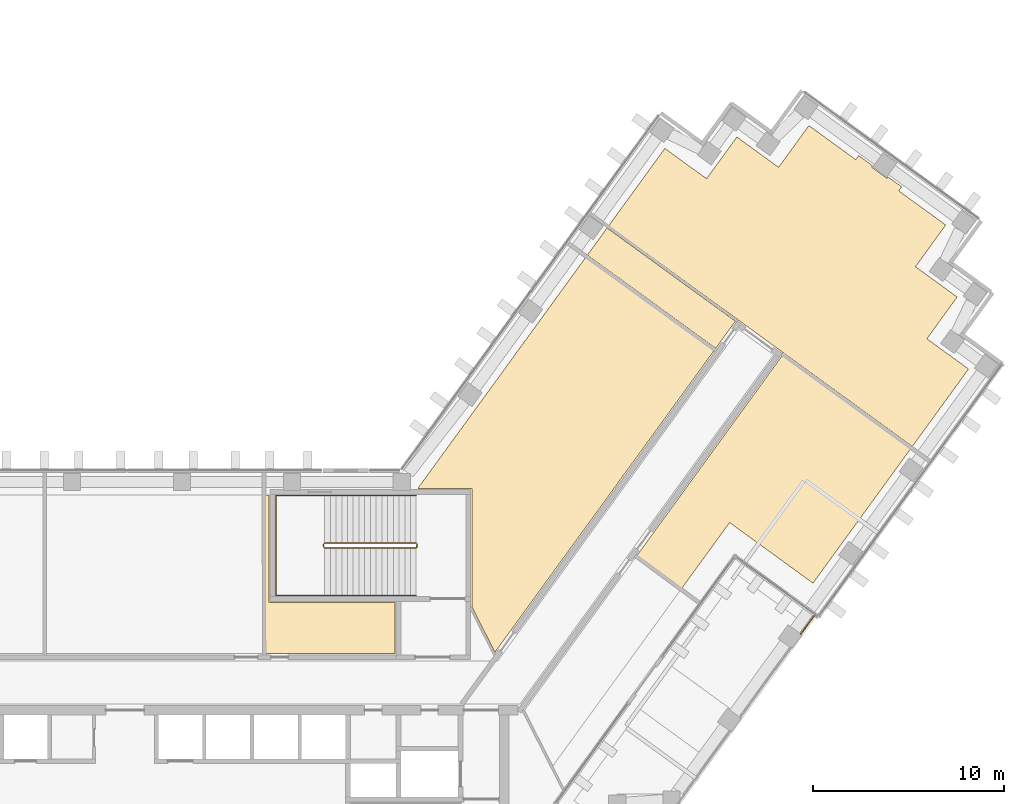
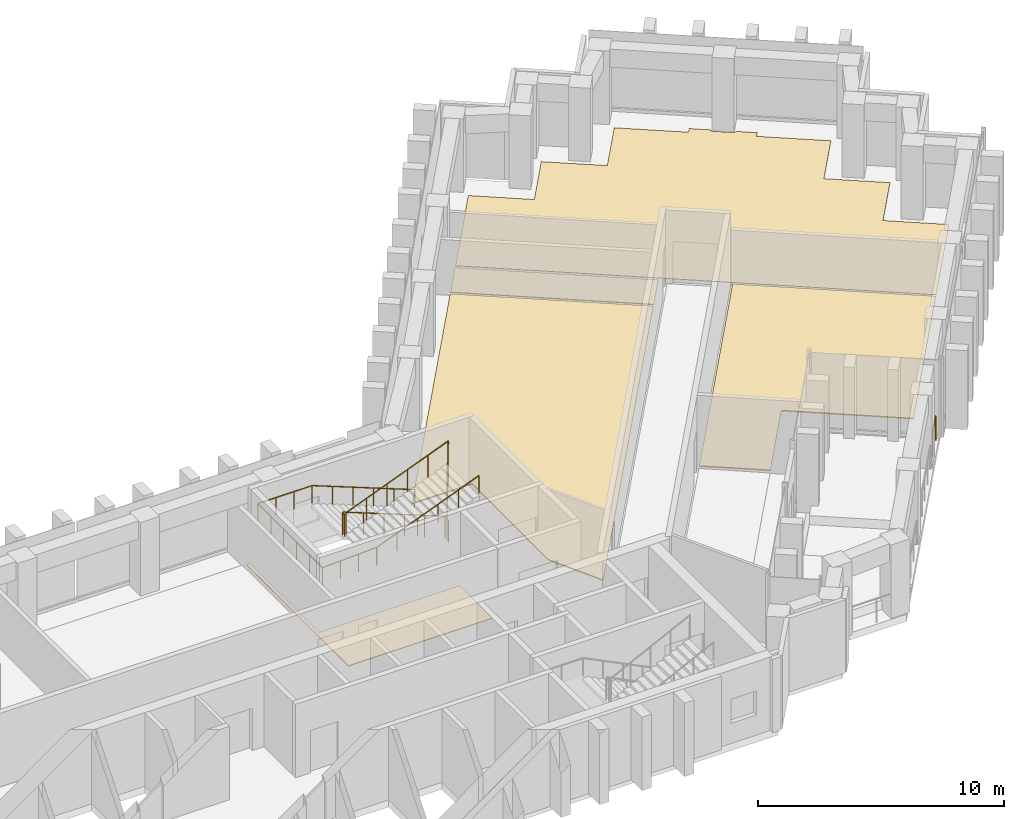
# One storey, part 14 of 14: 5 coverings, 3 railings.
"""IFC4 building model written with IfcOpenShell, lengths in metres."""

from ifc_helpers import new_model, si_unit, direction, frame, origin, origin_2d, place, context, subcontext, project, spatial, polyline, circle, outline, extrude, material, layer, layer_set, type_object, element, save


model = new_model("IFC4")

# Units and contexts
model_context = context("Model", 3, precision=1e-05, world=origin(), true_north=direction((0.0, 1.0)))
body_context = subcontext(model_context, "Body", "Model", "MODEL_VIEW")
ifc_project = project(units=[si_unit("LENGTHUNIT", "METRE"), si_unit("AREAUNIT", "SQUARE_METRE"), si_unit("VOLUMEUNIT", "CUBIC_METRE"), si_unit("PLANEANGLEUNIT", "RADIAN"), si_unit("MASSUNIT", "GRAM", prefix="KILO")], contexts=[model_context])

# Site, building, storey
site_placement = place(None, origin())
site = spatial("IfcSite", under=ifc_project, at=site_placement, CompositionType="ELEMENT")
building_placement = place(site_placement, origin())
building = spatial("IfcBuilding", under=site, at=building_placement, Name="Quipu Civic Tower", CompositionType="ELEMENT")
storey_placement = place(building_placement, frame((0.0, 0.0, 105.0)))
storey = spatial("IfcBuildingStorey", under=building, at=storey_placement, Name="L24", CompositionType="ELEMENT", Elevation=105.0)

# Coverings
ifc_material_1 = material(Name="Carpet tile on raised access floor")
ifc_layer_1 = layer(ifc_material_1, 0.02001953125)
ifc_layer_set_1 = layer_set([ifc_layer_1], Name="Carpet tile on raised access floor")
covering_type_1 = type_object("IfcCoveringType", Name="Carpet tile floor finish 20", PredefinedType="FLOORING", material=ifc_layer_set_1)
covering_1_placement = place(storey_placement, origin())
element("IfcCovering", 1, at=covering_1_placement, inside=storey, type_object=covering_type_1, Name="Carpet tile floor finish 20", PredefinedType="FLOORING", context=body_context, shape_type="SweptSolid", body=[
    extrude(outline(polyline([(25.22607421875, 23.916015625), (28.169921875, 27.968994140625), (30.35400390625, 26.383056640625), (31.94091796875, 28.56591796875), (34.126953125, 26.97998046875), (35.712890625, 29.1640625), (38.169921875, 27.37890625), (38.324951171875, 27.587890625), (39.044921875, 27.06396484375), (39.02197265625, 27.031982421875), (39.01904296875, 27.028076171875), (39.01708984375, 27.02294921875), (39.014892578125, 27.01904296875), (39.013916015625, 27.013916015625), (39.012939453125, 27.009033203125), (39.011962890625, 27.00390625), (39.011962890625, 27.0), (39.012939453125, 26.9951171875), (39.013916015625, 26.989990234375), (39.014892578125, 26.985107421875), (39.01708984375, 26.98095703125), (39.02001953125, 26.97607421875), (39.02197265625, 26.971923828125), (39.02490234375, 26.968994140625), (39.029052734375, 26.965087890625), (39.032958984375, 26.9619140625), (39.760986328125, 26.43310546875), (39.764892578125, 26.429931640625), (39.76904296875, 26.427978515625), (39.77392578125, 26.426025390625), (39.779052734375, 26.425048828125), (39.782958984375, 26.424072265625), (39.7880859375, 26.423095703125), (39.79296875, 26.424072265625), (39.798095703125, 26.424072265625), (39.802978515625, 26.425048828125), (39.80810546875, 26.427001953125), (39.81201171875, 26.427978515625), (39.81591796875, 26.430908203125), (39.820068359375, 26.43408203125), (39.823974609375, 26.43701171875), (39.827880859375, 26.43994140625), (39.8310546875, 26.444091796875), (39.85400390625, 26.47705078125), (40.574951171875, 25.952880859375), (40.424072265625, 25.740966796875), (42.881103515625, 23.95703125), (41.2939453125, 21.77294921875), (43.47802734375, 20.18505859375), (41.89208984375, 17.9990234375), (44.074951171875, 16.4140625), (41.131103515625, 12.360107421875), (25.22607421875, 23.916015625)])), origin(), (0.0, 0.0, 1.0), 0.02001953125),
])
ifc_material_2 = material(Name="Ceramic floor tile")
ifc_layer_2 = layer(ifc_material_2, 0.030029296875)
ifc_layer_set_2 = layer_set([ifc_layer_2], Name="Ceramic floor tile")
covering_type_2 = type_object("IfcCoveringType", Name="Ceramic tile floor finish 30", PredefinedType="FLOORING", material=ifc_layer_set_2)
covering_2_placement = place(storey_placement, origin())
element("IfcCovering", 2, at=covering_2_placement, inside=storey, type_object=covering_type_2, Name="Ceramic tile floor finish 30", PredefinedType="FLOORING", context=body_context, shape_type="SweptSolid", body=[
    extrude(outline(polyline([(24.112060546875, 22.382080078125), (25.14306640625, 23.802978515625), (31.865966796875, 18.9189453125), (30.8349609375, 17.4990234375), (24.112060546875, 22.382080078125)])), origin(), (0.0, 0.0, 1.0), 0.030029296875),
])
covering_3_placement = place(storey_placement, origin())
element("IfcCovering", 3, at=covering_3_placement, inside=storey, type_object=covering_type_2, Name="Ceramic tile floor finish 30", PredefinedType="FLOORING", context=body_context, shape_type="SweptSolid", body=[
    extrude(outline(polyline([(7.26806640625, 1.52001953125), (7.26806640625, 9.830078125), (7.429931640625, 9.830078125), (7.429931640625, 4.180908203125), (14.030029296875, 4.179931640625), (14.030029296875, 1.52001953125), (7.26806640625, 1.52001953125)])), origin(), (0.0, 0.0, 1.0), 0.030029296875),
])
ifc_material_3 = material(Name="Sealed cement screed")
ifc_layer_3 = layer(ifc_material_3, 0.050048828125)
ifc_layer_set_3 = layer_set([ifc_layer_3], Name="Sealed cement screed")
covering_type_3 = type_object("IfcCoveringType", Name="Sealed screed floor finish 50", PredefinedType="FLOORING", material=ifc_layer_set_3)
covering_4_placement = place(storey_placement, origin())
element("IfcCovering", 4, at=covering_4_placement, inside=storey, type_object=covering_type_3, Name="Sealed screed floor finish 50", PredefinedType="FLOORING", context=body_context, shape_type="SweptSolid", body=[
    extrude(outline(polyline([(15.238037109375, 10.169921875), (24.029052734375, 22.26904296875), (30.751953125, 17.385986328125), (19.27197265625, 1.583984375), (18.070068359375, 3.94189453125), (18.070068359375, 10.1689453125), (15.238037109375, 10.169921875)])), origin(), (0.0, 0.0, 1.0), 0.050048828125),
])
covering_5_placement = place(storey_placement, origin())
element("IfcCovering", 5, at=covering_5_placement, inside=storey, type_object=covering_type_3, Name="Sealed screed floor finish 50", PredefinedType="FLOORING", context=body_context, shape_type="SweptSolid", body=[
    extrude(outline(polyline([(26.705078125, 6.64306640625), (34.324951171875, 17.131103515625), (41.048095703125, 12.2470703125), (35.928955078125, 5.200927734375), (31.56103515625, 8.3740234375), (29.06005859375, 4.93310546875), (26.705078125, 6.64306640625)])), origin(), (0.0, 0.0, 1.0), 0.050048828125),
])

# Railings
ifc_material_4 = material(Name="Stainless steel", Category="steel")
railing_type_1 = type_object("IfcRailingType", Name="Stair guard 1100", PredefinedType="GUARDRAIL", material=ifc_material_4)
railing_1_placement = place(storey_placement, frame((15.14990234375, 7.300048828125, 0.11767578125)))
element("IfcRailing", 6, at=railing_1_placement, inside=storey, type_object=railing_type_1, Name="Stair 4 guard", PredefinedType="GUARDRAIL", context=body_context, shape_type="SweptSolid", body=[
    extrude(circle(Radius=0.02392578125, at=origin_2d()), frame((0.0, 0.0, 1.076171875), z_axis=(-0.930970042603, 0.0, 0.365095576219), x_axis=(0.0, -1.0, 0.0)), (0.0, 0.0, 1.0), 5.15576171875),
    extrude(circle(Radius=0.02392578125, at=origin_2d()), frame((-4.7998046875, 0.0, 2.95849609375), z_axis=(-0.707106781187, -0.707106781187, 0.0), x_axis=(0.707106781187, -0.707106781187, 0.0)), (0.0, 0.0, 1.0), 0.07080078125),
    extrude(circle(Radius=0.02392578125, at=origin_2d()), frame((-4.849853515625, -0.050048828125, 2.95849609375), z_axis=(0.0, -1.0, 0.0), x_axis=(1.0, 0.0, 0.0)), (0.0, 0.0, 1.0), 0.14990234375),
    extrude(circle(Radius=0.02392578125, at=origin_2d()), frame((-4.849853515625, -0.199951171875, 2.95849609375), z_axis=(0.364463019033, -0.364463019033, 0.856932561824), x_axis=(0.707106781187, 0.707106781187, 0.0)), (0.0, 0.0, 1.0), 0.13720703125),
    extrude(circle(Radius=0.02392578125, at=origin_2d()), frame((-4.7998046875, -0.25, 3.076171875), z_axis=(0.930970042603, 0.0, 0.365095576219), x_axis=(0.0, 1.0, 0.0)), (0.0, 0.0, 1.0), 5.15576171875),
    extrude(circle(Radius=0.02392578125, at=origin_2d()), frame((0.0, -0.25, 4.95849609375), z_axis=(0.012495627992, 0.049921557685, -0.998674970829), x_axis=(-0.970072785993, 0.242814311512, 0.0)), (0.0, 0.0, 1.0), 4.00537109375),
    extrude(circle(Radius=0.02392578125, at=origin_2d()), frame((0.050048828125, -0.050048828125, 0.95849609375), z_axis=(0.0, -1.0, 0.0), x_axis=(1.0, 0.0, 0.0)), (0.0, 0.0, 1.0), 0.14990234375),
    extrude(circle(Radius=0.02099609375, at=origin_2d()), origin(), (0.0, 0.0, 1.0), 1.052001953125),
    extrude(circle(Radius=0.02099609375, at=origin_2d()), frame((-0.9599609375, 0.0, 0.37646484375)), (0.0, 0.0, 1.0), 1.052001953125),
    extrude(circle(Radius=0.02099609375, at=origin_2d()), frame((-1.919921875, 0.0, 0.7529296875)), (0.0, 0.0, 1.0), 1.052001953125),
    extrude(circle(Radius=0.02099609375, at=origin_2d()), frame((-2.8798828125, 0.0, 1.12939453125)), (0.0, 0.0, 1.0), 1.052001953125),
    extrude(circle(Radius=0.02099609375, at=origin_2d()), frame((-3.83984375, 0.0, 1.505859375)), (0.0, 0.0, 1.0), 1.052001953125),
    extrude(circle(Radius=0.02099609375, at=origin_2d()), frame((-4.7998046875, 0.0, 1.88232421875)), (0.0, 0.0, 1.0), 1.052001953125),
    extrude(circle(Radius=0.02099609375, at=origin_2d()), frame((-4.849853515625, -0.050048828125, 1.88232421875)), (0.0, 0.0, 1.0), 1.052001953125),
    extrude(circle(Radius=0.02099609375, at=origin_2d()), frame((-4.849853515625, -0.199951171875, 1.88232421875)), (0.0, 0.0, 1.0), 1.052001953125),
    extrude(circle(Radius=0.02099609375, at=origin_2d()), frame((-4.7998046875, -0.25, 2.0)), (0.0, 0.0, 1.0), 1.052001953125),
    extrude(circle(Radius=0.02099609375, at=origin_2d()), frame((-3.83984375, -0.25, 2.37646484375)), (0.0, 0.0, 1.0), 1.052001953125),
    extrude(circle(Radius=0.02099609375, at=origin_2d()), frame((-2.8798828125, -0.25, 2.7529296875)), (0.0, 0.0, 1.0), 1.052001953125),
    extrude(circle(Radius=0.02099609375, at=origin_2d()), frame((-1.919921875, -0.25, 3.12939453125)), (0.0, 0.0, 1.0), 1.052001953125),
    extrude(circle(Radius=0.02099609375, at=origin_2d()), frame((-0.9599609375, -0.25, 3.505859375)), (0.0, 0.0, 1.0), 1.052001953125),
    extrude(circle(Radius=0.02099609375, at=origin_2d()), frame((0.0, -0.25, 3.88232421875)), (0.0, 0.0, 1.0), 1.052001953125),
    extrude(circle(Radius=0.02099609375, at=origin_2d()), frame((0.012451171875, -0.199951171875, 2.88232421875)), (0.0, 0.0, 1.0), 1.052001953125),
    extrude(circle(Radius=0.02099609375, at=origin_2d()), frame((0.02490234375, -0.14990234375, 1.88232421875)), (0.0, 0.0, 1.0), 1.052001953125),
    extrude(circle(Radius=0.02099609375, at=origin_2d()), frame((0.03759765625, -0.10009765625, 0.88232421875)), (0.0, 0.0, 1.0), 1.052001953125),
    extrude(circle(Radius=0.02099609375, at=origin_2d()), frame((0.050048828125, -0.050048828125, -0.11767578125)), (0.0, 0.0, 1.0), 1.052001953125),
    extrude(circle(Radius=0.02099609375, at=origin_2d()), frame((0.050048828125, -0.199951171875, -0.11767578125)), (0.0, 0.0, 1.0), 1.052001953125),
])
ifc_material_5 = material(Name="Stainless steel", Category="steel")
railing_type_2 = type_object("IfcRailingType", Name="Stair handrail", PredefinedType="HANDRAIL", material=ifc_material_5)
railing_2_placement = place(storey_placement, frame((15.14990234375, 9.800048828125, 0.11767578125)))
element("IfcRailing", 7, at=railing_2_placement, inside=storey, type_object=railing_type_2, Name="Stair 4 handrail", PredefinedType="HANDRAIL", context=body_context, shape_type="SweptSolid", body=[
    extrude(circle(Radius=0.02392578125, at=origin_2d()), frame((0.0, 0.0, 0.8759765625), z_axis=(-0.930970042603, 0.0, 0.365095576219), x_axis=(0.0, -1.0, 0.0)), (0.0, 0.0, 1.0), 5.15576171875),
    extrude(circle(Radius=0.02392578125, at=origin_2d()), frame((-4.7998046875, 0.0, 2.75830078125), z_axis=(-1.0, 0.0, 0.0), x_axis=(0.0, -1.0, 0.0)), (0.0, 0.0, 1.0), 2.550048828125),
    extrude(circle(Radius=0.02392578125, at=origin_2d()), frame((-7.349853515625, 0.0, 2.75830078125), z_axis=(0.0, -1.0, 0.0), x_axis=(1.0, 0.0, 0.0)), (0.0, 0.0, 1.0), 5.25),
    extrude(circle(Radius=0.02392578125, at=origin_2d()), frame((-7.349853515625, -5.25, 2.75830078125), z_axis=(0.998936948642, 0.0, 0.04609742549), x_axis=(0.0, 1.0, 0.0)), (0.0, 0.0, 1.0), 2.552734375),
    extrude(circle(Radius=0.02392578125, at=origin_2d()), frame((-4.7998046875, -5.25, 2.8759765625), z_axis=(0.930970042603, 0.0, 0.365095576219), x_axis=(0.0, 1.0, 0.0)), (0.0, 0.0, 1.0), 5.15576171875),
    extrude(circle(Radius=0.02099609375, at=origin_2d()), origin(), (0.0, 0.0, 1.0), 0.851806640625),
    extrude(circle(Radius=0.02099609375, at=origin_2d()), frame((-0.9599609375, 0.0, 0.37646484375)), (0.0, 0.0, 1.0), 0.851806640625),
    extrude(circle(Radius=0.02099609375, at=origin_2d()), frame((-1.919921875, 0.0, 0.7529296875)), (0.0, 0.0, 1.0), 0.851806640625),
    extrude(circle(Radius=0.02099609375, at=origin_2d()), frame((-2.8798828125, 0.0, 1.12939453125)), (0.0, 0.0, 1.0), 0.851806640625),
    extrude(circle(Radius=0.02099609375, at=origin_2d()), frame((-3.83984375, 0.0, 1.505859375)), (0.0, 0.0, 1.0), 0.851806640625),
    extrude(circle(Radius=0.02099609375, at=origin_2d()), frame((-4.7998046875, 0.0, 1.88232421875)), (0.0, 0.0, 1.0), 0.851806640625),
    extrude(circle(Radius=0.02099609375, at=origin_2d()), frame((-5.64990234375, 0.0, 1.88232421875)), (0.0, 0.0, 1.0), 0.851806640625),
    extrude(circle(Radius=0.02099609375, at=origin_2d()), frame((-6.499755859375, 0.0, 1.88232421875)), (0.0, 0.0, 1.0), 0.851806640625),
    extrude(circle(Radius=0.02099609375, at=origin_2d()), frame((-7.349853515625, 0.0, 1.88232421875)), (0.0, 0.0, 1.0), 0.851806640625),
    extrude(circle(Radius=0.02099609375, at=origin_2d()), frame((-7.349853515625, -1.050048828125, 1.88232421875)), (0.0, 0.0, 1.0), 0.851806640625),
    extrude(circle(Radius=0.02099609375, at=origin_2d()), frame((-7.349853515625, -2.10009765625, 1.88232421875)), (0.0, 0.0, 1.0), 0.851806640625),
    extrude(circle(Radius=0.02099609375, at=origin_2d()), frame((-7.349853515625, -3.14990234375, 1.88232421875)), (0.0, 0.0, 1.0), 0.851806640625),
    extrude(circle(Radius=0.02099609375, at=origin_2d()), frame((-7.349853515625, -4.199951171875, 1.88232421875)), (0.0, 0.0, 1.0), 0.851806640625),
    extrude(circle(Radius=0.02099609375, at=origin_2d()), frame((-7.349853515625, -5.25, 1.88232421875)), (0.0, 0.0, 1.0), 0.851806640625),
    extrude(circle(Radius=0.02099609375, at=origin_2d()), frame((-6.499755859375, -5.25, 1.921630859375)), (0.0, 0.0, 1.0), 0.851806640625),
    extrude(circle(Radius=0.02099609375, at=origin_2d()), frame((-5.64990234375, -5.25, 1.960693359375)), (0.0, 0.0, 1.0), 0.851806640625),
    extrude(circle(Radius=0.02099609375, at=origin_2d()), frame((-4.7998046875, -5.25, 2.0)), (0.0, 0.0, 1.0), 0.851806640625),
    extrude(circle(Radius=0.02099609375, at=origin_2d()), frame((-3.83984375, -5.25, 2.37646484375)), (0.0, 0.0, 1.0), 0.851806640625),
    extrude(circle(Radius=0.02099609375, at=origin_2d()), frame((-2.8798828125, -5.25, 2.7529296875)), (0.0, 0.0, 1.0), 0.851806640625),
    extrude(circle(Radius=0.02099609375, at=origin_2d()), frame((-1.919921875, -5.25, 3.12939453125)), (0.0, 0.0, 1.0), 0.851806640625),
    extrude(circle(Radius=0.02099609375, at=origin_2d()), frame((-0.9599609375, -5.25, 3.505859375)), (0.0, 0.0, 1.0), 0.851806640625),
    extrude(circle(Radius=0.02099609375, at=origin_2d()), frame((0.0, -5.25, 3.88232421875)), (0.0, 0.0, 1.0), 0.851806640625),
])
ifc_material_6 = material(Name="Steel S275", Category="steel")
railing_type_3 = type_object("IfcRailingType", Name="Terrace guard G1", PredefinedType="GUARDRAIL", material=ifc_material_6)
railing_3_placement = place(storey_placement, frame((35.294189453125, 2.540771484375, 0.0)))
element("IfcRailing", 8, at=railing_3_placement, inside=storey, type_object=railing_type_3, Name="Terrace guard L24.5", PredefinedType="GUARDRAIL", context=body_context, shape_type="SweptSolid", body=[
    extrude(circle(Radius=0.02490234375, at=origin_2d()), frame((0.0, 0.0, 1.1748046875), z_axis=(0.5879579719, 0.808891478061, 0.0), x_axis=(-0.808891478061, 0.5879579719, 0.0)), (0.0, 0.0, 1.0), 1.15478515625),
    extrude(circle(Radius=0.02490234375, at=origin_2d()), origin(), (0.0, 0.0, 1.0), 1.14990234375),
    extrude(circle(Radius=0.02490234375, at=origin_2d()), frame((0.678955078125, 0.93408203125, 0.0)), (0.0, 0.0, 1.0), 1.14990234375),
])

save(model, "model.ifc")
